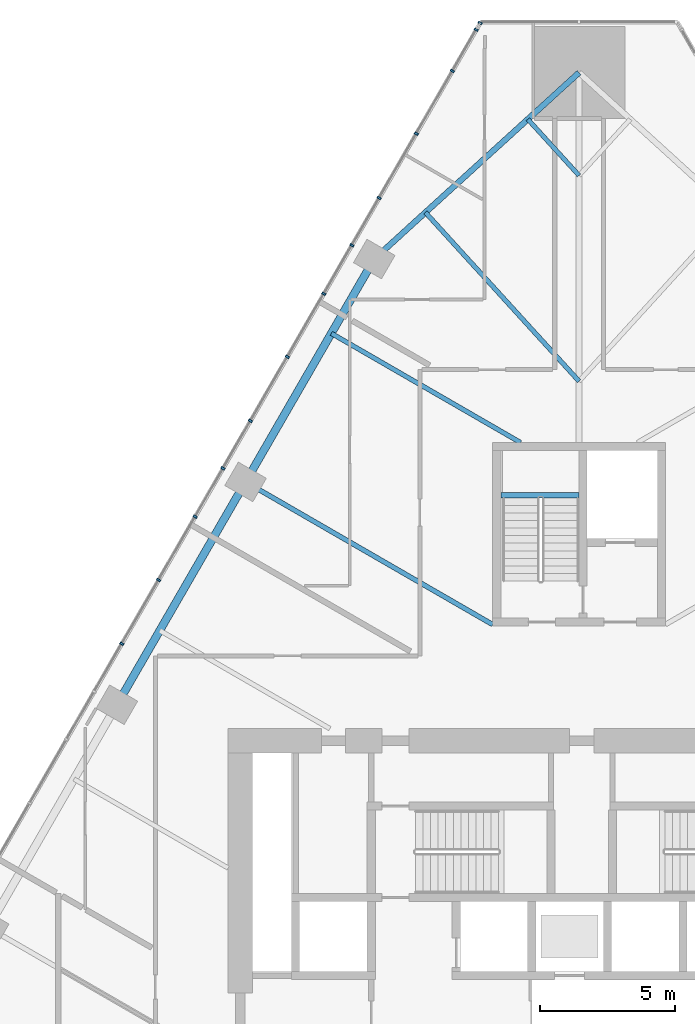
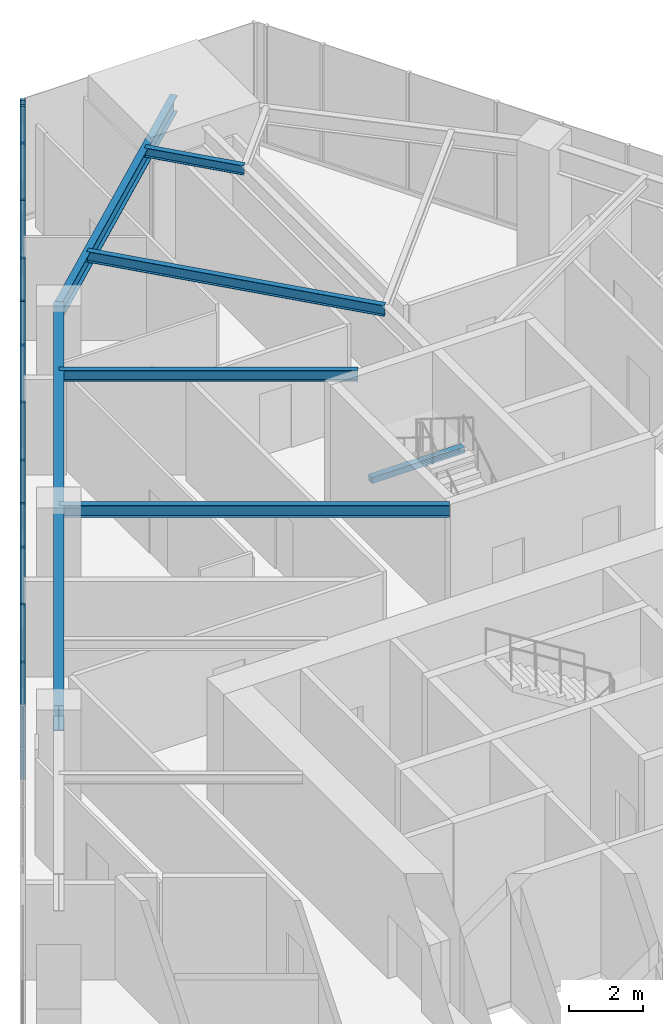
# One storey, part 10 of 26: 13 members, 7 beams, 1 element without a shape of its own.
"""IFC4 building model written with IfcOpenShell, lengths in metres."""

from ifc_helpers import new_model, si_unit, direction, frame, origin, origin_2d, place, context, subcontext, project, spatial, rectangle, i_section, extrude, material, layer, layer_set, material_profile, profile_set, type_object, element, aggregate, save


model = new_model("IFC4")

# Units and contexts
model_context = context("Model", 3, precision=1e-05, world=origin(), true_north=direction((0.0, 1.0)))
body_context = subcontext(model_context, "Body", "Model", "MODEL_VIEW")
ifc_project = project(units=[si_unit("LENGTHUNIT", "METRE"), si_unit("AREAUNIT", "SQUARE_METRE"), si_unit("VOLUMEUNIT", "CUBIC_METRE"), si_unit("PLANEANGLEUNIT", "RADIAN"), si_unit("MASSUNIT", "GRAM", prefix="KILO")], contexts=[model_context])

# Site, building, storey
site_placement = place(None, origin())
site = spatial("IfcSite", under=ifc_project, at=site_placement, CompositionType="ELEMENT")
building_placement = place(site_placement, origin())
building = spatial("IfcBuilding", under=site, at=building_placement, Name="Firuza Gate Tower and Library", CompositionType="ELEMENT")
storey_placement = place(building_placement, frame((0.0, 0.0, 65.199951171875)))
storey = spatial("IfcBuildingStorey", under=building, at=storey_placement, Name="L14", CompositionType="ELEMENT", Elevation=65.199951171875)

# Curtain wall, members
ifc_material_1 = material(Name="Aluminium 6063-T6", Category="aluminium")
ifc_layer = layer(ifc_material_1, 0.14990234375)
ifc_layer_set = layer_set([ifc_layer], Name="Unitised curtain wall, offices")
curtain_wall_type = type_object("IfcCurtainWallType", Name="Unitised curtain wall, offices", PredefinedType="NOTDEFINED", material=ifc_layer_set)
curtain_wall_placement = place(storey_placement, origin())
curtain_wall = element("IfcCurtainWall", 1, at=curtain_wall_placement, inside=storey, type_object=curtain_wall_type, Name="CW1 L14 W face", PredefinedType="NOTDEFINED")
ifc_material_2 = material(Name="Aluminium 6063-T6", Category="aluminium")
ifc_material_profile_1 = material_profile(ifc_material_2, rectangle(XDim=0.14990234375, YDim=0.080078125, at=origin_2d()))
ifc_profile_set_1 = profile_set([ifc_material_profile_1], Name="Aluminium 6063-T6")
member_type = type_object("IfcMemberType", Name="Curtain wall mullion 80x150", PredefinedType="MULLION", material=ifc_profile_set_1)
member_1_placement = place(storey_placement, frame((71.336669921875, 110.147216796875, 0.150146484375), z_axis=(0.0, 0.0, 1.0), x_axis=(0.866025403784, -0.5, 0.0)))
member_1 = element("IfcMember", 2, at=member_1_placement, type_object=member_type, Name="Mullion", PredefinedType="MULLION", context=body_context, shape_type="SweptSolid", body=[
    extrude(rectangle(XDim=0.14990234375, YDim=0.080078125, at=origin_2d()), origin(), (0.0, 0.0, 1.0), 3.849853515625),
])
member_2_placement = place(storey_placement, frame((68.969482421875, 106.047119140625, 0.150146484375), z_axis=(0.0, 0.0, 1.0), x_axis=(0.866025403784, -0.5, 0.0)))
member_2 = element("IfcMember", 3, at=member_2_placement, type_object=member_type, Name="Mullion", PredefinedType="MULLION", context=body_context, shape_type="SweptSolid", body=[
    extrude(rectangle(XDim=0.14990234375, YDim=0.080078125, at=origin_2d()), origin(), (0.0, 0.0, 1.0), 3.849853515625),
])
member_3_placement = place(storey_placement, frame((66.582275390625, 101.912109375, 0.150146484375), z_axis=(0.0, 0.0, 1.0), x_axis=(0.866025403784, -0.5, 0.0)))
member_3 = element("IfcMember", 4, at=member_3_placement, type_object=member_type, Name="Mullion", PredefinedType="MULLION", context=body_context, shape_type="SweptSolid", body=[
    extrude(rectangle(XDim=0.14990234375, YDim=0.080078125, at=origin_2d()), origin(), (0.0, 0.0, 1.0), 3.849853515625),
])
member_4_placement = place(storey_placement, frame((64.195068359375, 97.77734375, 0.150146484375), z_axis=(0.0, 0.0, 1.0), x_axis=(0.866025403784, -0.5, 0.0)))
member_4 = element("IfcMember", 5, at=member_4_placement, type_object=member_type, Name="Mullion", PredefinedType="MULLION", context=body_context, shape_type="SweptSolid", body=[
    extrude(rectangle(XDim=0.14990234375, YDim=0.080078125, at=origin_2d()), origin(), (0.0, 0.0, 1.0), 3.849853515625),
])
member_5_placement = place(storey_placement, frame((61.807861328125, 93.642578125, 0.150146484375), z_axis=(0.0, 0.0, 1.0), x_axis=(0.866025403784, -0.5, 0.0)))
member_5 = element("IfcMember", 6, at=member_5_placement, type_object=member_type, Name="Mullion", PredefinedType="MULLION", context=body_context, shape_type="SweptSolid", body=[
    extrude(rectangle(XDim=0.14990234375, YDim=0.080078125, at=origin_2d()), origin(), (0.0, 0.0, 1.0), 3.849853515625),
])
member_6_placement = place(storey_placement, frame((59.420654296875, 89.5078125, 0.150146484375), z_axis=(0.0, 0.0, 1.0), x_axis=(0.866025403784, -0.5, 0.0)))
member_6 = element("IfcMember", 7, at=member_6_placement, type_object=member_type, Name="Mullion", PredefinedType="MULLION", context=body_context, shape_type="SweptSolid", body=[
    extrude(rectangle(XDim=0.14990234375, YDim=0.080078125, at=origin_2d()), origin(), (0.0, 0.0, 1.0), 3.849853515625),
])
member_7_placement = place(storey_placement, frame((71.191162109375, 109.89501953125, 0.150146484375), z_axis=(0.0, 0.0, 1.0), x_axis=(0.866025403784, -0.5, 0.0)))
member_7 = element("IfcMember", 8, at=member_7_placement, type_object=member_type, Name="Mullion", PredefinedType="MULLION", context=body_context, shape_type="SweptSolid", body=[
    extrude(rectangle(XDim=0.14990234375, YDim=0.080078125, at=origin_2d()), origin(), (0.0, 0.0, 1.0), 3.849853515625),
])
member_8_placement = place(storey_placement, frame((70.310302734375, 108.369140625, 0.150146484375), z_axis=(0.0, 0.0, 1.0), x_axis=(0.866025403784, -0.5, 0.0)))
member_8 = element("IfcMember", 9, at=member_8_placement, type_object=member_type, Name="Mullion", PredefinedType="MULLION", context=body_context, shape_type="SweptSolid", body=[
    extrude(rectangle(XDim=0.14990234375, YDim=0.080078125, at=origin_2d()), origin(), (0.0, 0.0, 1.0), 3.849853515625),
])
member_9_placement = place(storey_placement, frame((67.5927734375, 103.662353515625, 0.150146484375), z_axis=(0.0, 0.0, 1.0), x_axis=(0.866025403784, -0.5, 0.0)))
member_9 = element("IfcMember", 10, at=member_9_placement, type_object=member_type, Name="Mullion", PredefinedType="MULLION", context=body_context, shape_type="SweptSolid", body=[
    extrude(rectangle(XDim=0.14990234375, YDim=0.080078125, at=origin_2d()), origin(), (0.0, 0.0, 1.0), 3.849853515625),
])
member_10_placement = place(storey_placement, frame((65.54296875, 100.112060546875, 0.150146484375), z_axis=(0.0, 0.0, 1.0), x_axis=(0.866025403784, -0.5, 0.0)))
member_10 = element("IfcMember", 11, at=member_10_placement, type_object=member_type, Name="Mullion", PredefinedType="MULLION", context=body_context, shape_type="SweptSolid", body=[
    extrude(rectangle(XDim=0.14990234375, YDim=0.080078125, at=origin_2d()), origin(), (0.0, 0.0, 1.0), 3.849853515625),
])
member_11_placement = place(storey_placement, frame((62.825439453125, 95.4052734375, 0.150146484375), z_axis=(0.0, 0.0, 1.0), x_axis=(0.866025403784, -0.5, 0.0)))
member_11 = element("IfcMember", 12, at=member_11_placement, type_object=member_type, Name="Mullion", PredefinedType="MULLION", context=body_context, shape_type="SweptSolid", body=[
    extrude(rectangle(XDim=0.14990234375, YDim=0.080078125, at=origin_2d()), origin(), (0.0, 0.0, 1.0), 3.849853515625),
])
member_12_placement = place(storey_placement, frame((60.775634765625, 91.85498046875, 0.150146484375), z_axis=(0.0, 0.0, 1.0), x_axis=(0.866025403784, -0.5, 0.0)))
member_12 = element("IfcMember", 13, at=member_12_placement, type_object=member_type, Name="Mullion", PredefinedType="MULLION", context=body_context, shape_type="SweptSolid", body=[
    extrude(rectangle(XDim=0.14990234375, YDim=0.080078125, at=origin_2d()), origin(), (0.0, 0.0, 1.0), 3.849853515625),
])
member_13_placement = place(storey_placement, frame((58.05810546875, 87.148193359375, 0.150146484375), z_axis=(0.0, 0.0, 1.0), x_axis=(0.866025403784, -0.5, 0.0)))
member_13 = element("IfcMember", 14, at=member_13_placement, type_object=member_type, Name="Mullion", PredefinedType="MULLION", context=body_context, shape_type="SweptSolid", body=[
    extrude(rectangle(XDim=0.14990234375, YDim=0.080078125, at=origin_2d()), origin(), (0.0, 0.0, 1.0), 3.849853515625),
])
aggregate(curtain_wall, [member_1, member_2, member_3, member_4, member_5, member_6, member_7, member_8, member_9, member_10, member_11, member_12, member_13])

# Beams
ifc_material_3 = material(Name="Concrete C35/45", Category="concrete")
ifc_material_profile_2 = material_profile(ifc_material_3, rectangle(XDim=0.199951171875, YDim=0.199951171875, at=origin_2d()))
ifc_profile_set_2 = profile_set([ifc_material_profile_2], Name="Concrete C35/45")
beam_type_1 = type_object("IfcBeamType", Name="Stair landing bearer 200x200", PredefinedType="BEAM", material=ifc_profile_set_2)
beam_1_placement = place(storey_placement, frame((75.0, 92.64990234375, 1.800048828125), z_axis=(-1.0, 0.0, 0.0), x_axis=(0.0, -1.0, 0.0)))
element("IfcBeam", 15, at=beam_1_placement, inside=storey, type_object=beam_type_1, Name="Landing bearer L14 stair 3", PredefinedType="BEAM", context=body_context, shape_type="SweptSolid", body=[
    extrude(rectangle(XDim=0.199951171875, YDim=0.199951171875, at=origin_2d()), origin(), (0.0, 0.0, 1.0), 2.89990234375),
])
ifc_material_4 = material(Name="Steel S355", Category="steel")
ifc_material_profile_3 = material_profile(ifc_material_4, i_section(OverallWidth=0.1650390625, OverallDepth=0.31005859375, WebThickness=0.005859375, FlangeThickness=0.009765625, at=origin_2d()))
ifc_profile_set_3 = profile_set([ifc_material_profile_3], Name="Steel S355")
beam_type_2 = type_object("IfcBeamType", Name="W310x39 Floor beam", PredefinedType="JOIST", material=ifc_profile_set_3)
beam_2_placement = place(storey_placement, frame((73.10302734375, 106.580078125, 3.844970703125), z_axis=(0.673146987304, -0.739508710891, 0.0), x_axis=(0.739508710891, 0.673146987304, 0.0)))
element("IfcBeam", 16, at=beam_2_placement, inside=storey, type_object=beam_type_2, Name="Floor beam L14 s70", PredefinedType="JOIST", context=body_context, shape_type="SweptSolid", body=[
    extrude(i_section(OverallWidth=0.1650390625, OverallDepth=0.31005859375, WebThickness=0.005859375, FlangeThickness=0.009765625, at=origin_2d()), origin(), (0.0, 0.0, 1.0), 2.818115234375),
])
ifc_material_5 = material(Name="Steel S355", Category="steel")
ifc_material_profile_4 = material_profile(ifc_material_5, i_section(OverallWidth=0.1708984375, OverallDepth=0.35498046875, WebThickness=0.007080078125, FlangeThickness=0.01171875, at=origin_2d()))
ifc_profile_set_4 = profile_set([ifc_material_profile_4], Name="Steel S355")
beam_type_3 = type_object("IfcBeamType", Name="W360x51 Floor beam", PredefinedType="JOIST", material=ifc_profile_set_4)
beam_3_placement = place(storey_placement, frame((69.30908203125, 103.12646484375, 3.822509765625), z_axis=(0.673161362913, -0.739495625059, 0.0), x_axis=(0.739495625059, 0.673161362913, 0.0)))
element("IfcBeam", 17, at=beam_3_placement, inside=storey, type_object=beam_type_3, Name="Floor beam L14 s71", PredefinedType="JOIST", context=body_context, shape_type="SweptSolid", body=[
    extrude(i_section(OverallWidth=0.1708984375, OverallDepth=0.35498046875, WebThickness=0.007080078125, FlangeThickness=0.01171875, at=origin_2d()), origin(), (0.0, 0.0, 1.0), 8.4541015625),
])
beam_4_placement = place(storey_placement, frame((65.822998046875, 98.6474609375, 3.822509765625), z_axis=(0.8660258691, -0.499999194049, 0.0), x_axis=(0.499999194049, 0.8660258691, 0.0)))
element("IfcBeam", 18, at=beam_4_placement, inside=storey, type_object=beam_type_3, Name="Floor beam L14 s80", PredefinedType="JOIST", context=body_context, shape_type="SweptSolid", body=[
    extrude(i_section(OverallWidth=0.1708984375, OverallDepth=0.35498046875, WebThickness=0.007080078125, FlangeThickness=0.01171875, at=origin_2d()), origin(), (0.0, 0.0, 1.0), 8.0947265625),
])
ifc_material_6 = material(Name="Steel S355", Category="steel")
ifc_material_profile_5 = material_profile(ifc_material_6, i_section(OverallWidth=0.177978515625, OverallDepth=0.406982421875, WebThickness=0.0078125, FlangeThickness=0.0126953125, at=origin_2d()))
ifc_profile_set_5 = profile_set([ifc_material_profile_5], Name="Steel S355")
beam_type_4 = type_object("IfcBeamType", Name="W410x60 Floor beam", PredefinedType="JOIST", material=ifc_profile_set_5)
beam_5_placement = place(storey_placement, frame((62.64501953125, 93.142578125, 3.796630859375), z_axis=(0.866025981243, -0.499998999811, 0.0), x_axis=(0.499998999811, 0.866025981243, 0.0)))
element("IfcBeam", 19, at=beam_5_placement, inside=storey, type_object=beam_type_4, Name="Floor beam L14 s81", PredefinedType="JOIST", context=body_context, shape_type="SweptSolid", body=[
    extrude(i_section(OverallWidth=0.177978515625, OverallDepth=0.406982421875, WebThickness=0.0078125, FlangeThickness=0.0126953125, at=origin_2d()), origin(), (0.0, 0.0, 1.0), 10.5712890625),
])
ifc_material_7 = material(Name="Steel S355", Category="steel")
ifc_material_profile_6 = material_profile(ifc_material_7, i_section(OverallWidth=0.212890625, OverallDepth=0.5390625, WebThickness=0.01171875, FlangeThickness=0.018798828125, at=origin_2d()))
ifc_profile_set_6 = profile_set([ifc_material_profile_6], Name="Steel S355")
beam_type_5 = type_object("IfcBeamType", Name="W530x109 Edge beam", PredefinedType="SPANDREL", material=ifc_profile_set_6)
beam_6_placement = place(storey_placement, frame((75.0, 108.306884765625, 3.73046875), z_axis=(-0.739496344773, -0.673160572276, 0.0), x_axis=(0.673160572276, -0.739496344773, 0.0)))
element("IfcBeam", 20, at=beam_6_placement, inside=storey, type_object=beam_type_5, Name="Edge beam L14 e70", PredefinedType="SPANDREL", context=body_context, shape_type="SweptSolid", body=[
    extrude(i_section(OverallWidth=0.212890625, OverallDepth=0.5390625, WebThickness=0.01171875, FlangeThickness=0.018798828125, at=origin_2d()), origin(), (0.0, 0.0, 1.0), 10.260986328125),
])
ifc_material_8 = material(Name="Steel S355", Category="steel")
ifc_material_profile_7 = material_profile(ifc_material_8, i_section(OverallWidth=0.2919921875, OverallDepth=0.8349609375, WebThickness=0.013916015625, FlangeThickness=0.018798828125, at=origin_2d()))
ifc_profile_set_7 = profile_set([ifc_material_profile_7], Name="Steel S355")
beam_type_6 = type_object("IfcBeamType", Name="W840x176 Edge beam", PredefinedType="SPANDREL", material=ifc_profile_set_7)
beam_7_placement = place(storey_placement, frame((67.412109375, 101.399658203125, 3.58251953125), z_axis=(-0.499998781384, -0.866026107351, 0.0), x_axis=(0.866026107351, -0.499998781384, 0.0)))
element("IfcBeam", 21, at=beam_7_placement, inside=storey, type_object=beam_type_6, Name="Edge beam L14 e80", PredefinedType="SPANDREL", context=body_context, shape_type="SweptSolid", body=[
    extrude(i_section(OverallWidth=0.2919921875, OverallDepth=0.8349609375, WebThickness=0.013916015625, FlangeThickness=0.018798828125, at=origin_2d()), origin(), (0.0, 0.0, 1.0), 19.06884765625),
])

save(model, "model.ifc")
